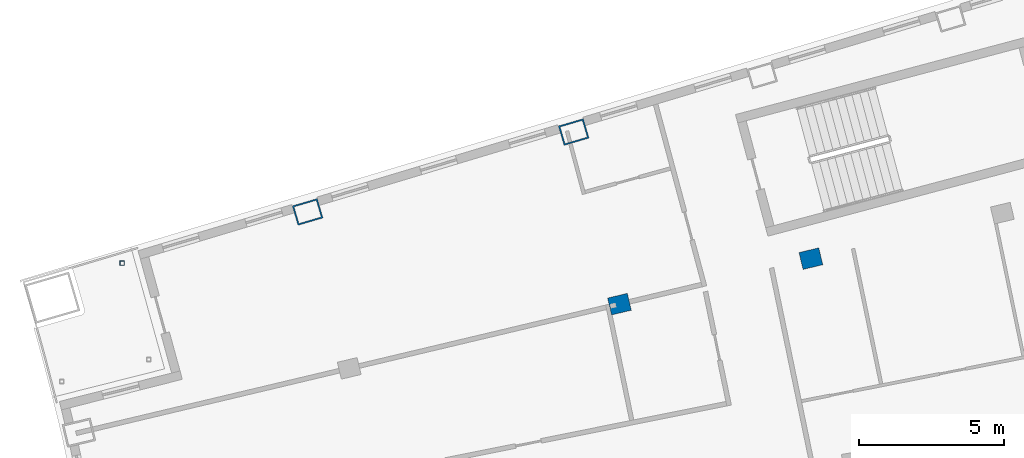
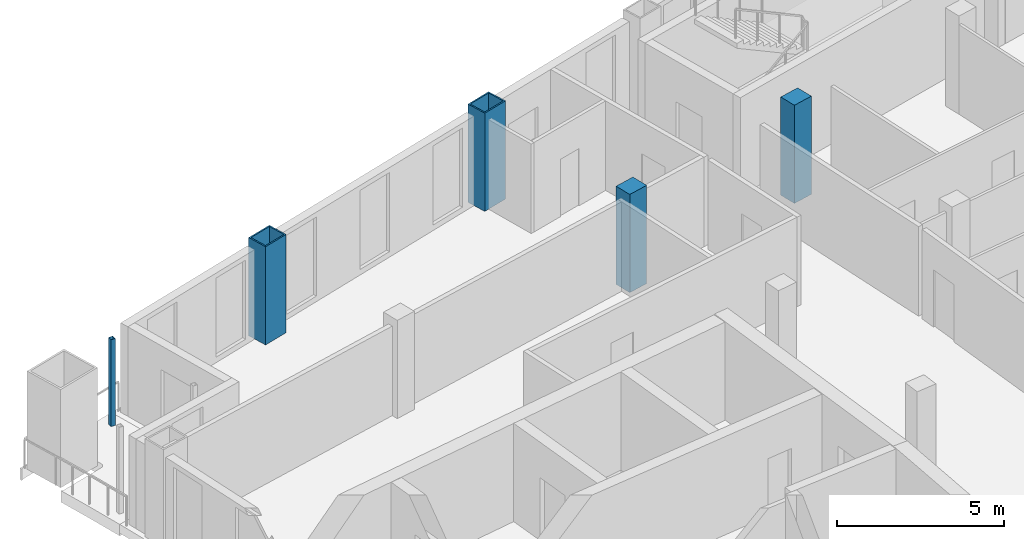
# One storey, part 5 of 17: 5 columns.
"""IFC4 building model written with IfcOpenShell, lengths in metres."""

import ifcopenshell
import ifcopenshell.guid

model = None  # the IFC model being written
_history = None  # IfcOwnerHistory: only IFC2X3 demands one
_inside = {}  # id of a spatial element -> (the spatial element, [elements in it])
_under = {}  # id of a project, library or spatial element -> (it, [spatial elements below it])
_declared = {}  # id of a project -> (the project, [libraries it declares])
_typed = {}  # id of a type object -> (the type object, [elements of that type])
_made_of = {}  # id of a material, layer set ... -> (it, [elements and type objects made of it])


def new_model(schema):
    """Start an empty IFC model of exactly this schema.

    Asked for "IFC4X3", IfcOpenShell would pick the latest addendum, in which some entities
    have other attributes; the version numbers below select the first issue.
    IFC2X3 requires an IfcOwnerHistory on every rooted entity: one is made here for all.
    """
    global model, _history
    if schema == "IFC4X3":
        model = ifcopenshell.file(schema_version=(4, 3, 0, 0))
    else:
        model = ifcopenshell.file(schema=schema)
    _inside.clear()
    _under.clear()
    _declared.clear()
    _typed.clear()
    _made_of.clear()
    _history = None
    if model.schema == "IFC2X3":
        org = make("IfcOrganization", Name="unknown")
        user = make(
            "IfcPersonAndOrganization",
            ThePerson=make("IfcPerson", FamilyName="unknown"),
            TheOrganization=org,
        )
        app = make(
            "IfcApplication",
            ApplicationDeveloper=org,
            Version="unknown",
            ApplicationFullName="unknown",
            ApplicationIdentifier="unknown",
        )
        _history = make(
            "IfcOwnerHistory",
            OwningUser=user,
            OwningApplication=app,
            ChangeAction="ADDED",
            CreationDate=0,
        )
    return model


def make(cls, **values):
    """One entity of the class cls with the attributes given. An attribute that is None is left unset."""
    return model.create_entity(
        cls, **{name: value for name, value in values.items() if value is not None}
    )


def rooted(cls, **values):
    """An entity with a GlobalId (a new one), such as an element, a storey or a relation."""
    return make(cls, GlobalId=ifcopenshell.guid.new(), OwnerHistory=_history, **values)


def si_unit(unit_type, name, prefix=None):
    """IfcSIUnit, for example si_unit("LENGTHUNIT", "METRE", prefix="MILLI")."""
    return make("IfcSIUnit", UnitType=unit_type, Prefix=prefix, Name=name)


def assignment(units):
    """IfcUnitAssignment: the units of a project."""
    return None if units is None else make("IfcUnitAssignment", Units=units)


def point(xyz):
    """IfcCartesianPoint."""
    return None if xyz is None else make("IfcCartesianPoint", Coordinates=xyz)


def direction(xyz):
    """IfcDirection."""
    return None if xyz is None else make("IfcDirection", DirectionRatios=xyz)


def frame(location, z_axis=None, x_axis=None):
    """IfcAxis2Placement3D, a coordinate frame: its origin and axes. An axis left out is left unset."""
    return make(
        "IfcAxis2Placement3D",
        Location=point(location),
        Axis=direction(z_axis),
        RefDirection=direction(x_axis),
    )


def frame_2d(location, x_axis=None):
    """IfcAxis2Placement2D, a coordinate frame in the plane: its origin and x axis."""
    return make(
        "IfcAxis2Placement2D", Location=point(location), RefDirection=direction(x_axis)
    )


def origin():
    """The frame at (0, 0, 0) with its axes left unset."""
    return frame((0.0, 0.0, 0.0))


def origin_2d():
    """The frame at (0, 0) in the plane with its x axis left unset."""
    return frame_2d((0.0, 0.0))


def place(relative_to, where):
    """IfcLocalPlacement: puts the frame where relative to a parent placement (None: the world)."""
    return make(
        "IfcLocalPlacement", PlacementRelTo=relative_to, RelativePlacement=where
    )


def context(
    kind, dimensions, precision=None, world=None, true_north=None, identifier=None
):
    """IfcGeometricRepresentationContext, for example the 3D "Model" context."""
    return make(
        "IfcGeometricRepresentationContext",
        ContextIdentifier=identifier,
        ContextType=kind,
        CoordinateSpaceDimension=dimensions,
        Precision=precision,
        WorldCoordinateSystem=world,
        TrueNorth=true_north,
    )


def subcontext(parent, identifier, kind, view, scale=None):
    """IfcGeometricRepresentationSubContext, for example "Body" below "Model"."""
    return make(
        "IfcGeometricRepresentationSubContext",
        ContextIdentifier=identifier,
        ContextType=kind,
        ParentContext=parent,
        TargetScale=scale,
        TargetView=view,
    )


def project(units=None, contexts=None):
    """IfcProject with its units and contexts."""
    return rooted(
        "IfcProject",
        Name="project",
        RepresentationContexts=contexts,
        UnitsInContext=assignment(units),
    )


def spatial(cls, under=None, at=None, **own):
    """A site, building, storey or space (cls), placed at a placement, below another one or the project."""
    s = rooted(cls, ObjectPlacement=at, **own)
    if under is not None:
        _under.setdefault(under.id(), (under, []))[1].append(s)
    return s


def profile(cls, at=None, kind="AREA", **sizes):
    """A parametric profile (cls). Its sizes go by their IFC names, for example OverallWidth=200.0."""
    return make(cls, ProfileType=kind, Position=at, **sizes)


def rectangle(**sizes):
    """IfcRectangleProfileDef."""
    return profile("IfcRectangleProfileDef", **sizes)


def hollow_rectangle(**sizes):
    """IfcRectangleHollowProfileDef."""
    return profile("IfcRectangleHollowProfileDef", **sizes)


def extrude(swept, where, along, depth):
    """IfcExtrudedAreaSolid: the profile swept, set in the frame where, extruded along a direction by depth."""
    return make(
        "IfcExtrudedAreaSolid",
        SweptArea=swept,
        Position=where,
        ExtrudedDirection=direction(along),
        Depth=depth,
    )


def shape(context_of_items, identifier, shape_type, items):
    """IfcShapeRepresentation: the items that make up one representation, for example the "Body"."""
    return make(
        "IfcShapeRepresentation",
        ContextOfItems=context_of_items,
        RepresentationIdentifier=identifier,
        RepresentationType=shape_type,
        Items=items,
    )


def material(Name=None, Category=None):
    """IfcMaterial."""
    return make("IfcMaterial", Name=Name, Category=Category)


def material_profile(
    of_material, cross_section, Name=None, Category=None, Priority=None
):
    """IfcMaterialProfile: a cross section and its material."""
    return make(
        "IfcMaterialProfile",
        Name=Name,
        Material=of_material,
        Profile=cross_section,
        Priority=Priority,
        Category=Category,
    )


def profile_set(profiles, Name=None, composite=None):
    """IfcMaterialProfileSet."""
    return make(
        "IfcMaterialProfileSet",
        Name=Name,
        MaterialProfiles=profiles,
        CompositeProfile=composite,
    )


def made_of(thing, what):
    """Note that an element or type object is made of a material, layer set ...; save() writes the relation."""
    if what is not None:
        _made_of.setdefault(what.id(), (what, []))[1].append(thing)
    return thing


def type_object(cls, material=None, **own):
    """A type object (cls), such as IfcWallType, which elements share."""
    return made_of(rooted(cls, **own), material)


def element(
    cls,
    number,
    at=None,
    inside=None,
    cuts=None,
    type_object=None,
    material=None,
    context=None,
    identifier="Body",
    shape_type=None,
    held_by="IfcProductDefinitionShape",
    body=None,
    shapes=None,
    **own,
):
    """One element of the class cls, such as IfcWall. Its Tag is "e" and its number.

    at: its placement. inside: the storey or other place that contains it. cuts: it is an
    opening in that element (IfcRelVoidsElement). A single representation is given by context,
    identifier, shape_type and body (its items); several are given by shapes. held_by: the class
    of the entity that holds the representations. save() writes the other relations.
    """
    e = rooted(cls, Tag="e%d" % number, ObjectPlacement=at, **own)
    if body is not None:
        shapes = [shape(context, identifier, shape_type, body)]
    if shapes is not None:
        e.Representation = make(held_by, Representations=shapes)
    if inside is not None:
        _inside.setdefault(inside.id(), (inside, []))[1].append(e)
    if cuts is not None:
        rooted(
            "IfcRelVoidsElement", RelatingBuildingElement=cuts, RelatedOpeningElement=e
        )
    if type_object is not None:
        _typed.setdefault(type_object.id(), (type_object, []))[1].append(e)
    return made_of(e, material)


def aggregate(whole, parts):
    """IfcRelAggregates: a whole, such as a stair, and the parts it consists of."""
    return rooted("IfcRelAggregates", RelatingObject=whole, RelatedObjects=parts)


def save(model, path):
    """Write the relations noted so far, then the file.

    IfcRelAggregates (storeys below a building ...), IfcRelContainedInSpatialStructure (elements
    in a storey), IfcRelDefinesByType, IfcRelAssociatesMaterial and IfcRelDeclares: one each for
    every whole, place, type object, material and project.
    """
    for whole, parts in _under.values():
        aggregate(whole, parts)
    for where, things in _inside.values():
        rooted(
            "IfcRelContainedInSpatialStructure",
            RelatedElements=things,
            RelatingStructure=where,
        )
    for kind, things in _typed.values():
        rooted("IfcRelDefinesByType", RelatedObjects=things, RelatingType=kind)
    for what, things in _made_of.values():
        rooted("IfcRelAssociatesMaterial", RelatedObjects=things, RelatingMaterial=what)
    for by, libraries in _declared.values():
        rooted("IfcRelDeclares", RelatingContext=by, RelatedDefinitions=libraries)
    model.write(path)


model = new_model("IFC4")

# Units and contexts
model_context = context("Model", 3, precision=1e-05, world=origin(), true_north=direction((0.0, 1.0)))
body_context = subcontext(model_context, "Body", "Model", "MODEL_VIEW")
ifc_project = project(units=[si_unit("LENGTHUNIT", "METRE"), si_unit("AREAUNIT", "SQUARE_METRE"), si_unit("VOLUMEUNIT", "CUBIC_METRE"), si_unit("PLANEANGLEUNIT", "RADIAN"), si_unit("MASSUNIT", "GRAM", prefix="KILO")], contexts=[model_context])

# Site, building, storey
site_placement = place(None, origin())
site = spatial("IfcSite", under=ifc_project, at=site_placement, CompositionType="ELEMENT")
building_placement = place(site_placement, origin())
building = spatial("IfcBuilding", under=site, at=building_placement, Name="Alderwake Tower", CompositionType="ELEMENT")
storey_placement = place(building_placement, frame((0.0, 0.0, 270.800048828125)))
storey = spatial("IfcBuildingStorey", under=building, at=storey_placement, Name="L67", CompositionType="ELEMENT", Elevation=270.800048828125)

# Columns
ifc_material_1 = material(Name="Steel ASTM A572 Grade 50 concrete filled C70/85", Category="concrete")
ifc_material_profile_1 = material_profile(ifc_material_1, hollow_rectangle(XDim=0.699951171875, YDim=0.89990234375, WallThickness=0.050048828125, at=origin_2d()), Name="BOX 900X700X50")
ifc_profile_set_1 = profile_set([ifc_material_profile_1], Name="Steel ASTM A572 Grade 50 concrete filled C70/85")
column_type_1 = type_object("IfcColumnType", Name="End column Z5", PredefinedType="COLUMN", material=ifc_profile_set_1)
for number, where, z_axis, x_axis, name in (
    (1, (21.885498046875, 90.96240234375, 0.0), (0.0, 0.0, 1.0), (-0.282132160283, 0.95937554906, 0.0), "Column R12-C1"),
    (2, (31.080322265625, 93.72314453125, 0.0), (0.0, 0.0, 1.0), (-0.282582549822, 0.959242984095, 0.0), "Column R12-C2"),
):
    element("IfcColumn", number, at=place(storey_placement, frame(where, z_axis=z_axis, x_axis=x_axis)), inside=storey, type_object=column_type_1, Name=name, PredefinedType="COLUMN", context=body_context, shape_type="SweptSolid", body=[
        extrude(hollow_rectangle(XDim=0.699951171875, YDim=0.89990234375, WallThickness=0.050048828125, at=origin_2d()), origin(), (0.0, 0.0, 1.0), 3.599853515625),
    ])
ifc_material_2 = material(Name="Concrete C70/85", Category="concrete")
ifc_material_profile_2 = material_profile(ifc_material_2, rectangle(XDim=0.60009765625, YDim=0.699951171875, at=origin_2d()), Name="RC 700X600")
ifc_profile_set_2 = profile_set([ifc_material_profile_2], Name="Concrete C70/85")
column_type_2 = type_object("IfcColumnType", Name="Interior column Z5", PredefinedType="COLUMN", material=ifc_profile_set_2)
for number, where, z_axis, x_axis, name in (
    (3, (32.661865234375, 87.775390625, 0.0), (0.0, 0.0, 1.0), (-0.231221547198, 0.972901123502, 0.0), "Column R11-C2"),
    (4, (39.277587890625, 89.347900390625, 0.0), (0.0, 0.0, 1.0), (-0.231221547198, 0.972901123502, 0.0), "Column R11-C3"),
):
    element("IfcColumn", number, at=place(storey_placement, frame(where, z_axis=z_axis, x_axis=x_axis)), inside=storey, type_object=column_type_2, Name=name, PredefinedType="COLUMN", context=body_context, shape_type="SweptSolid", body=[
        extrude(rectangle(XDim=0.60009765625, YDim=0.699951171875, at=origin_2d()), origin(), (0.0, 0.0, 1.0), 3.599853515625),
    ])
ifc_material_3 = material(Name="Steel ASTM A500 Grade C", Category="steel")
ifc_material_profile_3 = material_profile(ifc_material_3, hollow_rectangle(XDim=0.15234375, YDim=0.15234375, WallThickness=0.0087890625, at=origin_2d()), Name="HSS6X6X3/8")
ifc_profile_set_3 = profile_set([ifc_material_profile_3], Name="Steel ASTM A500 Grade C")
column_type_3 = type_object("IfcColumnType", Name="Light post HSS6X6X3/8", PredefinedType="COLUMN", material=ifc_profile_set_3)
column_placement = place(storey_placement, frame((15.47412109375, 89.194091796875, 0.0), z_axis=(0.0, 0.0, 1.0), x_axis=(1.0, 0.0, 0.0)))
element("IfcColumn", 5, at=column_placement, inside=storey, type_object=column_type_3, Name="Terrace post RN2", PredefinedType="COLUMN", context=body_context, shape_type="SweptSolid", body=[
    extrude(hollow_rectangle(XDim=0.15234375, YDim=0.15234375, WallThickness=0.0087890625, at=origin_2d()), origin(), (0.0, 0.0, 1.0), 3.179931640625),
])

save(model, "model.ifc")
